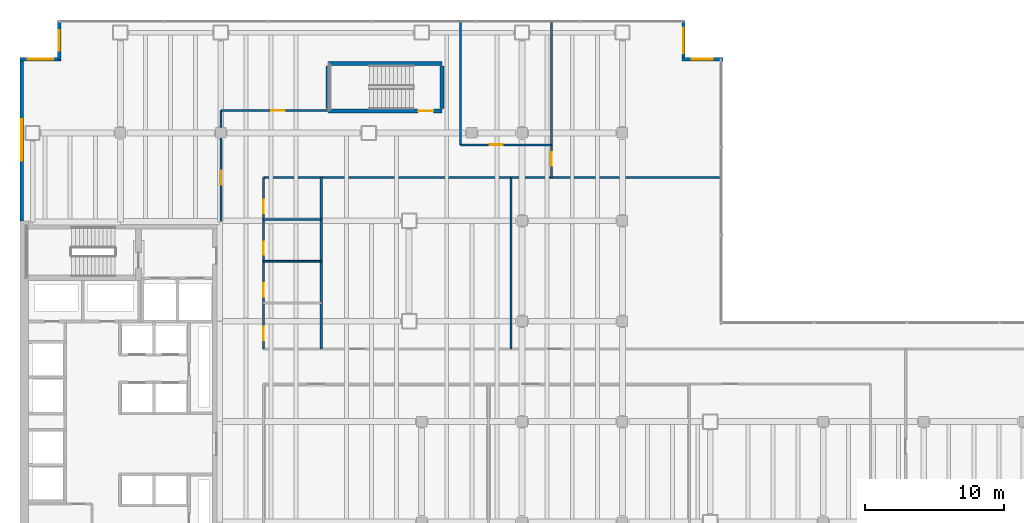
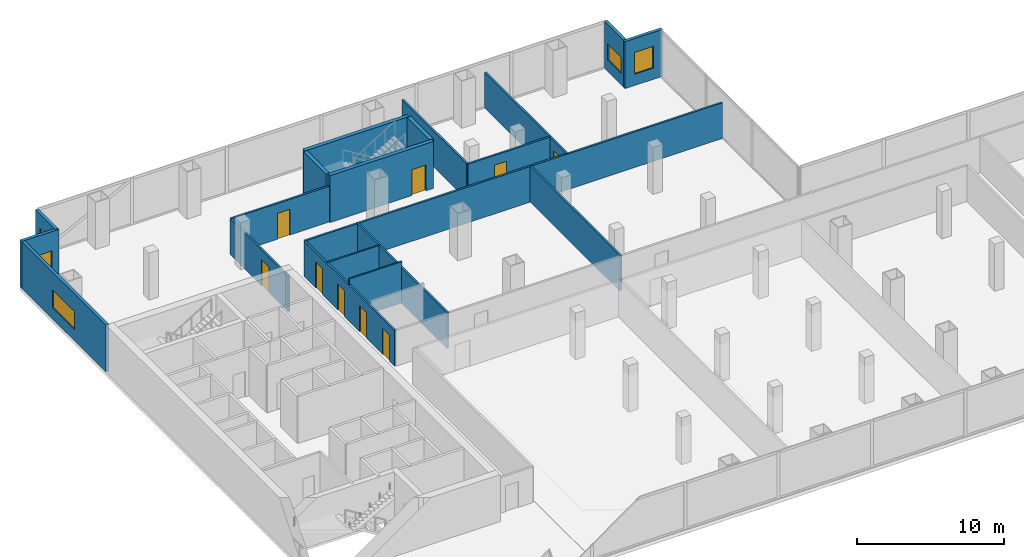
# One storey, part 24 of 28: 20 walls, 9 doors, 5 windows, 14 openings.
"""IFC4 building model written with IfcOpenShell, lengths in metres."""

from ifc_helpers import new_model, si_unit, direction, frame, frame_2d, origin, place, context, subcontext, project, spatial, rectangle, extrude, material, layer, layer_set, type_object, element, fill, save


model = new_model("IFC4")

# Units and contexts
model_context = context("Model", 3, precision=1e-05, world=origin(), true_north=direction((0.0, 1.0)))
body_context = subcontext(model_context, "Body", "Model", "MODEL_VIEW")
ifc_project = project(units=[si_unit("LENGTHUNIT", "METRE"), si_unit("AREAUNIT", "SQUARE_METRE"), si_unit("VOLUMEUNIT", "CUBIC_METRE"), si_unit("PLANEANGLEUNIT", "RADIAN"), si_unit("MASSUNIT", "GRAM", prefix="KILO")], contexts=[model_context])

# Site, building, storey
site_placement = place(None, origin())
site = spatial("IfcSite", under=ifc_project, at=site_placement, CompositionType="ELEMENT")
building_placement = place(site_placement, origin())
building = spatial("IfcBuilding", under=site, at=building_placement, Name="Cobrela Telecom Tower", CompositionType="ELEMENT")
storey_placement = place(building_placement, frame((0.0, 0.0, 17.85009765625)))
storey = spatial("IfcBuildingStorey", under=building, at=storey_placement, Name="L04", CompositionType="ELEMENT", Elevation=17.85009765625)

# Wall, opening, window
ifc_material_1 = material(Name="Concrete C40/50", Category="concrete")
ifc_layer_1 = layer(ifc_material_1, 0.239990234375)
ifc_layer_set_1 = layer_set([ifc_layer_1], Name="Concrete C40/50")
wall_type_1 = type_object("IfcWallType", Name="WALL-EXT-300", PredefinedType="STANDARD", material=ifc_layer_set_1)
wall_1_placement = place(storey_placement, frame((0.1201171875, 36.0, 0.0), z_axis=(0.0, 0.0, 1.0), x_axis=(0.0, 1.0, 0.0)))
wall_1 = element("IfcWall", 1, at=wall_1_placement, inside=storey, type_object=wall_type_1, Name="L04 Insulated Facade Wall 04", PredefinedType="STANDARD", context=body_context, shape_type="SweptSolid", body=[
    extrude(rectangle(XDim=11.580078125, YDim=0.239990234375, at=frame_2d((5.7900390625, 0.0))), origin(), (0.0, 0.0, 1.0), 3.909912109375),
])
opening_1_placement = place(wall_1_placement, frame((4.2900390625, 0.0, 0.949951171875)))
opening_1 = element("IfcOpeningElement", 2, at=opening_1_placement, cuts=wall_1, Name="Opening WN-41", PredefinedType="OPENING", context=body_context, shape_type="SweptSolid", body=[
    extrude(rectangle(XDim=3.0, YDim=1.5, at=frame_2d((1.5, 0.75))), frame((0.0, 0.1318359375, 0.0), z_axis=(0.0, -1.0, 0.0), x_axis=(1.0, 0.0, 0.0)), (0.0, 0.0, 1.0), 0.263916015625),
])
ifc_material_2 = material(Name="Solar-Control Bronze Low-E Glass", Category="glass")
window_type_1 = type_object("IfcWindowType", Name="WIN-RIB-3000", PartitioningType="SINGLE_PANEL", PredefinedType="WINDOW", material=ifc_material_2)
window_1_placement = place(opening_1_placement, origin())
window_1 = element("IfcWindow", 3, at=window_1_placement, inside=storey, type_object=window_type_1, Name="L04 Modular Punched Facade Window 020", OverallHeight=1.5, OverallWidth=3.0, PartitioningType="SINGLE_PANEL", PredefinedType="WINDOW", context=body_context, shape_type="SweptSolid", body=[
    extrude(rectangle(XDim=3.0, YDim=1.5, at=frame_2d((1.5, 0.75))), frame((0.0, 0.030029296875, 0.0), z_axis=(0.0, -1.0, 0.0), x_axis=(1.0, 0.0, 0.0)), (0.0, 0.0, 1.0), 0.06005859375),
])
fill(opening_1, window_1)

wall_2_placement = place(storey_placement, frame((0.0, 47.580078125, 0.0), z_axis=(0.0, 0.0, 1.0), x_axis=(1.0, 0.0, 0.0)))
wall_2 = element("IfcWall", 4, at=wall_2_placement, inside=storey, type_object=wall_type_1, Name="L04 Insulated Facade Wall 05", PredefinedType="STANDARD", context=body_context, shape_type="SweptSolid", body=[
    extrude(rectangle(XDim=2.93994140625, YDim=0.239990234375, at=frame_2d((1.469970703125, 0.0))), origin(), (0.0, 0.0, 1.0), 3.909912109375),
])
opening_2_placement = place(wall_2_placement, frame((0.570068359375, 0.0, 0.949951171875)))
opening_2 = element("IfcOpeningElement", 5, at=opening_2_placement, cuts=wall_2, Name="Opening WN-27", PredefinedType="OPENING", context=body_context, shape_type="SweptSolid", body=[
    extrude(rectangle(XDim=1.800048828125, YDim=1.35009765625, at=frame_2d((0.89990234375, 0.675048828125))), frame((0.0, 0.1318359375, 0.0), z_axis=(0.0, -1.0, 0.0), x_axis=(1.0, 0.0, 0.0)), (0.0, 0.0, 1.0), 0.263916015625),
])
window_type_2 = type_object("IfcWindowType", Name="WIN-CLER-1800", PartitioningType="SINGLE_PANEL", PredefinedType="WINDOW", material=ifc_material_2)
window_2_placement = place(opening_2_placement, origin())
window_2 = element("IfcWindow", 6, at=window_2_placement, inside=storey, type_object=window_type_2, Name="L04 Corner Notch Facade Window 021", OverallHeight=1.35009765625, OverallWidth=1.800048828125, PartitioningType="SINGLE_PANEL", PredefinedType="WINDOW", context=body_context, shape_type="SweptSolid", body=[
    extrude(rectangle(XDim=1.800048828125, YDim=1.35009765625, at=frame_2d((0.89990234375, 0.675048828125))), frame((0.0, 0.030029296875, 0.0), z_axis=(0.0, -1.0, 0.0), x_axis=(1.0, 0.0, 0.0)), (0.0, 0.0, 1.0), 0.06005859375),
])
fill(opening_2, window_2)

wall_3_placement = place(storey_placement, frame((2.820068359375, 47.580078125, 0.0), z_axis=(0.0, 0.0, 1.0), x_axis=(0.0, 1.0, 0.0)))
wall_3 = element("IfcWall", 7, at=wall_3_placement, inside=storey, type_object=wall_type_1, Name="L04 Insulated Facade Wall 06", PredefinedType="STANDARD", context=body_context, shape_type="SweptSolid", body=[
    extrude(rectangle(XDim=2.699951171875, YDim=0.239990234375, at=frame_2d((1.35009765625, 0.0))), origin(), (0.0, 0.0, 1.0), 3.909912109375),
])
opening_3_placement = place(wall_3_placement, frame((0.60009765625, 0.0, 0.949951171875)))
opening_3 = element("IfcOpeningElement", 8, at=opening_3_placement, cuts=wall_3, Name="Opening WN-45", PredefinedType="OPENING", context=body_context, shape_type="SweptSolid", body=[
    extrude(rectangle(XDim=1.5, YDim=1.800048828125, at=frame_2d((0.75, 0.89990234375))), frame((0.0, 0.1318359375, 0.0), z_axis=(0.0, -1.0, 0.0), x_axis=(1.0, 0.0, 0.0)), (0.0, 0.0, 1.0), 0.263916015625),
])
window_type_3 = type_object("IfcWindowType", Name="WIN-MOD-1500", PartitioningType="SINGLE_PANEL", PredefinedType="WINDOW", material=ifc_material_2)
window_3_placement = place(opening_3_placement, origin())
window_3 = element("IfcWindow", 9, at=window_3_placement, inside=storey, type_object=window_type_3, Name="L04 Corner Notch Facade Window 022", OverallHeight=1.800048828125, OverallWidth=1.5, PartitioningType="SINGLE_PANEL", PredefinedType="WINDOW", context=body_context, shape_type="SweptSolid", body=[
    extrude(rectangle(XDim=1.5, YDim=1.800048828125, at=frame_2d((0.75, 0.89990234375))), frame((0.0, 0.030029296875, 0.0), z_axis=(0.0, -1.0, 0.0), x_axis=(1.0, 0.0, 0.0)), (0.0, 0.0, 1.0), 0.06005859375),
])
fill(opening_3, window_3)

wall_4_placement = place(storey_placement, frame((47.580078125, 50.280029296875, 0.0), z_axis=(0.0, 0.0, 1.0), x_axis=(0.0, -1.0, 0.0)))
wall_4 = element("IfcWall", 10, at=wall_4_placement, inside=storey, type_object=wall_type_1, Name="L04 Insulated Facade Wall 08", PredefinedType="STANDARD", context=body_context, shape_type="SweptSolid", body=[
    extrude(rectangle(XDim=2.699951171875, YDim=0.239990234375, at=frame_2d((1.35009765625, 0.0))), origin(), (0.0, 0.0, 1.0), 3.909912109375),
])
opening_4_placement = place(wall_4_placement, frame((0.449951171875, 0.0, 0.949951171875)))
opening_4 = element("IfcOpeningElement", 11, at=opening_4_placement, cuts=wall_4, Name="Opening WN-27", PredefinedType="OPENING", context=body_context, shape_type="SweptSolid", body=[
    extrude(rectangle(XDim=1.800048828125, YDim=1.35009765625, at=frame_2d((0.89990234375, 0.675048828125))), frame((0.0, 0.1318359375, 0.0), z_axis=(0.0, -1.0, 0.0), x_axis=(1.0, 0.0, 0.0)), (0.0, 0.0, 1.0), 0.263916015625),
])
window_4_placement = place(opening_4_placement, origin())
window_4 = element("IfcWindow", 12, at=window_4_placement, inside=storey, type_object=window_type_2, Name="L04 Corner Notch Facade Window 023", OverallHeight=1.35009765625, OverallWidth=1.800048828125, PartitioningType="SINGLE_PANEL", PredefinedType="WINDOW", context=body_context, shape_type="SweptSolid", body=[
    extrude(rectangle(XDim=1.800048828125, YDim=1.35009765625, at=frame_2d((0.89990234375, 0.675048828125))), frame((0.0, 0.030029296875, 0.0), z_axis=(0.0, -1.0, 0.0), x_axis=(1.0, 0.0, 0.0)), (0.0, 0.0, 1.0), 0.06005859375),
])
fill(opening_4, window_4)

wall_5_placement = place(storey_placement, frame((47.4599609375, 47.580078125, 0.0), z_axis=(0.0, 0.0, 1.0), x_axis=(1.0, 0.0, 0.0)))
wall_5 = element("IfcWall", 13, at=wall_5_placement, inside=storey, type_object=wall_type_1, Name="L04 Insulated Facade Wall 09", PredefinedType="STANDARD", context=body_context, shape_type="SweptSolid", body=[
    extrude(rectangle(XDim=2.93994140625, YDim=0.239990234375, at=frame_2d((1.469970703125, 0.0))), origin(), (0.0, 0.0, 1.0), 3.909912109375),
])
opening_5_placement = place(wall_5_placement, frame((0.719970703125, 0.0, 0.949951171875)))
opening_5 = element("IfcOpeningElement", 14, at=opening_5_placement, cuts=wall_5, Name="Opening WN-45", PredefinedType="OPENING", context=body_context, shape_type="SweptSolid", body=[
    extrude(rectangle(XDim=1.5, YDim=1.800048828125, at=frame_2d((0.75, 0.89990234375))), frame((0.0, 0.1318359375, 0.0), z_axis=(0.0, -1.0, 0.0), x_axis=(1.0, 0.0, 0.0)), (0.0, 0.0, 1.0), 0.263916015625),
])
window_5_placement = place(opening_5_placement, origin())
window_5 = element("IfcWindow", 15, at=window_5_placement, inside=storey, type_object=window_type_3, Name="L04 Corner Notch Facade Window 024", OverallHeight=1.800048828125, OverallWidth=1.5, PartitioningType="SINGLE_PANEL", PredefinedType="WINDOW", context=body_context, shape_type="SweptSolid", body=[
    extrude(rectangle(XDim=1.5, YDim=1.800048828125, at=frame_2d((0.75, 0.89990234375))), frame((0.0, 0.030029296875, 0.0), z_axis=(0.0, -1.0, 0.0), x_axis=(1.0, 0.0, 0.0)), (0.0, 0.0, 1.0), 0.06005859375),
])
fill(opening_5, window_5)

# Walls
ifc_material_3 = material(Name="Fire-Rated Gypsum Plasterboard")
ifc_layer_2 = layer(ifc_material_3, 0.125)
ifc_layer_set_2 = layer_set([ifc_layer_2], Name="Fire-Rated Gypsum Plasterboard")
wall_type_2 = type_object("IfcWallType", Name="WALL-PART-125", PredefinedType="PARTITIONING", material=ifc_layer_set_2)
wall_6_placement = place(storey_placement, frame((17.449951171875, 36.10009765625, 0.0), z_axis=(0.0, 0.0, 1.0), x_axis=(1.0, 0.0, 0.0)))
element("IfcWall", 16, at=wall_6_placement, inside=storey, type_object=wall_type_2, Name="L04 Interior Partition W-P4WC-1", PredefinedType="PARTITIONING", context=body_context, shape_type="SweptSolid", body=[
    extrude(rectangle(XDim=4.150146484375, YDim=0.125, at=frame_2d((2.0751953125, 0.0))), origin(), (0.0, 0.0, 1.0), 2.968017578125),
])
wall_7_placement = place(storey_placement, frame((17.449951171875, 33.10009765625, 0.0), z_axis=(0.0, 0.0, 1.0), x_axis=(1.0, 0.0, 0.0)))
element("IfcWall", 17, at=wall_7_placement, inside=storey, type_object=wall_type_2, Name="L04 Interior Partition W-P4WC-2", PredefinedType="PARTITIONING", context=body_context, shape_type="SweptSolid", body=[
    extrude(rectangle(XDim=4.150146484375, YDim=0.125, at=frame_2d((2.0751953125, 0.0))), origin(), (0.0, 0.0, 1.0), 3.427978515625),
])

# Wall, openings, doors
ifc_layer_3 = layer(ifc_material_3, 0.14990234375)
ifc_layer_set_3 = layer_set([ifc_layer_3], Name="Fire-Rated Gypsum Plasterboard")
wall_type_3 = type_object("IfcWallType", Name="WALL-PART-150", PredefinedType="PARTITIONING", material=ifc_layer_set_3)
wall_8_placement = place(storey_placement, frame((17.449951171875, 26.800048828125, 0.0), z_axis=(0.0, 0.0, 1.0), x_axis=(0.0, 1.0, 0.0)))
wall_8 = element("IfcWall", 18, at=wall_8_placement, inside=storey, type_object=wall_type_3, Name="L04 Interior Partition W-P4-E2", PredefinedType="PARTITIONING", context=body_context, shape_type="SweptSolid", body=[
    extrude(rectangle(XDim=12.300048828125, YDim=0.14990234375, at=frame_2d((6.14990234375, 0.0))), origin(), (0.0, 0.0, 1.0), 2.968017578125),
])
opening_6_placement = place(wall_8_placement, frame((9.760009765625, 0.0, 0.0)))
opening_6 = element("IfcOpeningElement", 19, at=opening_6_placement, cuts=wall_8, Name="Opening DR-67", PredefinedType="OPENING", context=body_context, shape_type="SweptSolid", body=[
    extrude(rectangle(XDim=0.949951171875, YDim=2.14990234375, at=frame_2d((0.47509765625, 1.074951171875))), frame((0.0, 0.0869140625, 0.0), z_axis=(0.0, -1.0, 0.0), x_axis=(1.0, 0.0, 0.0)), (0.0, 0.0, 1.0), 0.173828125),
])
opening_7_placement = place(wall_8_placement, frame((6.760009765625, 0.0, 0.0)))
opening_7 = element("IfcOpeningElement", 20, at=opening_7_placement, cuts=wall_8, Name="Opening DR-67", PredefinedType="OPENING", context=body_context, shape_type="SweptSolid", body=[
    extrude(rectangle(XDim=0.949951171875, YDim=2.14990234375, at=frame_2d((0.47509765625, 1.074951171875))), frame((0.0, 0.0869140625, 0.0), z_axis=(0.0, -1.0, 0.0), x_axis=(1.0, 0.0, 0.0)), (0.0, 0.0, 1.0), 0.173828125),
])
opening_8_placement = place(wall_8_placement, frame((3.760009765625, 0.0, 0.0)))
opening_8 = element("IfcOpeningElement", 21, at=opening_8_placement, cuts=wall_8, Name="Opening DR-67", PredefinedType="OPENING", context=body_context, shape_type="SweptSolid", body=[
    extrude(rectangle(XDim=0.949951171875, YDim=2.14990234375, at=frame_2d((0.47509765625, 1.074951171875))), frame((0.0, 0.0869140625, 0.0), z_axis=(0.0, -1.0, 0.0), x_axis=(1.0, 0.0, 0.0)), (0.0, 0.0, 1.0), 0.173828125),
])
opening_9_placement = place(wall_8_placement, frame((0.64990234375, 0.0, 0.0)))
opening_9 = element("IfcOpeningElement", 22, at=opening_9_placement, cuts=wall_8, Name="Opening DR-67", PredefinedType="OPENING", context=body_context, shape_type="SweptSolid", body=[
    extrude(rectangle(XDim=0.949951171875, YDim=2.14990234375, at=frame_2d((0.47509765625, 1.074951171875))), frame((0.0, 0.0869140625, 0.0), z_axis=(0.0, -1.0, 0.0), x_axis=(1.0, 0.0, 0.0)), (0.0, 0.0, 1.0), 0.173828125),
])
ifc_material_4 = material(Name="Solid Engineered Oak Timber", Category="wood")
door_type_1 = type_object("IfcDoorType", Name="DOOR-INT-950", OperationType="SINGLE_SWING_LEFT", PredefinedType="DOOR", material=ifc_material_4)
door_1_placement = place(opening_6_placement, origin())
door_1 = element("IfcDoor", 23, at=door_1_placement, inside=storey, type_object=door_type_1, Name="L04 Door DR-67", OperationType="SINGLE_SWING_LEFT", OverallHeight=2.14990234375, OverallWidth=0.949951171875, PredefinedType="DOOR", context=body_context, shape_type="SweptSolid", body=[
    extrude(rectangle(XDim=0.949951171875, YDim=2.14990234375, at=frame_2d((0.47509765625, 1.074951171875))), frame((0.0, 0.02490234375, 0.0), z_axis=(0.0, -1.0, 0.0), x_axis=(1.0, 0.0, 0.0)), (0.0, 0.0, 1.0), 0.050048828125),
])
fill(opening_6, door_1)
door_2_placement = place(opening_7_placement, origin())
door_2 = element("IfcDoor", 24, at=door_2_placement, inside=storey, type_object=door_type_1, Name="L04 Door DR-67", OperationType="SINGLE_SWING_RIGHT", OverallHeight=2.14990234375, OverallWidth=0.949951171875, PredefinedType="DOOR", context=body_context, shape_type="SweptSolid", body=[
    extrude(rectangle(XDim=0.949951171875, YDim=2.14990234375, at=frame_2d((0.47509765625, 1.074951171875))), frame((0.0, 0.02490234375, 0.0), z_axis=(0.0, -1.0, 0.0), x_axis=(1.0, 0.0, 0.0)), (0.0, 0.0, 1.0), 0.050048828125),
])
fill(opening_7, door_2)
door_3_placement = place(opening_8_placement, origin())
door_3 = element("IfcDoor", 25, at=door_3_placement, inside=storey, type_object=door_type_1, Name="L04 Door DR-67", OperationType="SINGLE_SWING_LEFT", OverallHeight=2.14990234375, OverallWidth=0.949951171875, PredefinedType="DOOR", context=body_context, shape_type="SweptSolid", body=[
    extrude(rectangle(XDim=0.949951171875, YDim=2.14990234375, at=frame_2d((0.47509765625, 1.074951171875))), frame((0.0, 0.02490234375, 0.0), z_axis=(0.0, -1.0, 0.0), x_axis=(1.0, 0.0, 0.0)), (0.0, 0.0, 1.0), 0.050048828125),
])
fill(opening_8, door_3)
door_4_placement = place(opening_9_placement, origin())
door_4 = element("IfcDoor", 26, at=door_4_placement, inside=storey, type_object=door_type_1, Name="L04 Door DR-67", OperationType="SINGLE_SWING_RIGHT", OverallHeight=2.14990234375, OverallWidth=0.949951171875, PredefinedType="DOOR", context=body_context, shape_type="SweptSolid", body=[
    extrude(rectangle(XDim=0.949951171875, YDim=2.14990234375, at=frame_2d((0.47509765625, 1.074951171875))), frame((0.0, 0.02490234375, 0.0), z_axis=(0.0, -1.0, 0.0), x_axis=(1.0, 0.0, 0.0)), (0.0, 0.0, 1.0), 0.050048828125),
])
fill(opening_9, door_4)

# Wall, opening, door
wall_9_placement = place(storey_placement, frame((14.39990234375, 43.89990234375, 0.0), z_axis=(0.0, 0.0, 1.0), x_axis=(1.0, 0.0, 0.0)))
wall_9 = element("IfcWall", 27, at=wall_9_placement, inside=storey, type_object=wall_type_3, Name="L04 Interior Partition W-P4-N1", PredefinedType="PARTITIONING", context=body_context, shape_type="SweptSolid", body=[
    extrude(rectangle(XDim=7.7001953125, YDim=0.14990234375, at=frame_2d((3.85009765625, 0.0))), origin(), (0.0, 0.0, 1.0), 2.968017578125),
])
opening_10_placement = place(wall_9_placement, frame((3.60009765625, 0.0, 0.0)))
opening_10 = element("IfcOpeningElement", 28, at=opening_10_placement, cuts=wall_9, Name="Opening DR-31", PredefinedType="OPENING", context=body_context, shape_type="SweptSolid", body=[
    extrude(rectangle(XDim=1.0, YDim=2.14990234375, at=frame_2d((0.5, 1.074951171875))), frame((0.0, 0.0869140625, 0.0), z_axis=(0.0, -1.0, 0.0), x_axis=(1.0, 0.0, 0.0)), (0.0, 0.0, 1.0), 0.173828125),
])
door_type_2 = type_object("IfcDoorType", Name="DOOR-INT-1000", OperationType="SINGLE_SWING_LEFT", PredefinedType="DOOR", material=ifc_material_4)
door_5_placement = place(opening_10_placement, origin())
door_5 = element("IfcDoor", 29, at=door_5_placement, inside=storey, type_object=door_type_2, Name="L04 Door DR-31", OperationType="SINGLE_SWING_LEFT", OverallHeight=2.14990234375, OverallWidth=1.0, PredefinedType="DOOR", context=body_context, shape_type="SweptSolid", body=[
    extrude(rectangle(XDim=1.0, YDim=2.14990234375, at=frame_2d((0.5, 1.074951171875))), frame((0.0, 0.02490234375, 0.0), z_axis=(0.0, -1.0, 0.0), x_axis=(1.0, 0.0, 0.0)), (0.0, 0.0, 1.0), 0.050048828125),
])
fill(opening_10, door_5)

wall_10_placement = place(storey_placement, frame((31.60009765625, 41.449951171875, 0.0), z_axis=(0.0, 0.0, 1.0), x_axis=(1.0, 0.0, 0.0)))
wall_10 = element("IfcWall", 30, at=wall_10_placement, inside=storey, type_object=wall_type_3, Name="L04 Interior Partition W-P4-N2C", PredefinedType="PARTITIONING", context=body_context, shape_type="SweptSolid", body=[
    extrude(rectangle(XDim=6.5, YDim=0.14990234375, at=frame_2d((3.25, 0.0))), origin(), (0.0, 0.0, 1.0), 2.968017578125),
])
opening_11_placement = place(wall_10_placement, frame((2.080078125, 0.0, 0.0)))
opening_11 = element("IfcOpeningElement", 31, at=opening_11_placement, cuts=wall_10, Name="Opening DR-67", PredefinedType="OPENING", context=body_context, shape_type="SweptSolid", body=[
    extrude(rectangle(XDim=0.949951171875, YDim=2.14990234375, at=frame_2d((0.47509765625, 1.074951171875))), frame((0.0, 0.0869140625, 0.0), z_axis=(0.0, -1.0, 0.0), x_axis=(1.0, 0.0, 0.0)), (0.0, 0.0, 1.0), 0.173828125),
])
door_6_placement = place(opening_11_placement, origin())
door_6 = element("IfcDoor", 32, at=door_6_placement, inside=storey, type_object=door_type_1, Name="L04 Door DR-67", OperationType="SINGLE_SWING_RIGHT", OverallHeight=2.14990234375, OverallWidth=0.949951171875, PredefinedType="DOOR", context=body_context, shape_type="SweptSolid", body=[
    extrude(rectangle(XDim=0.949951171875, YDim=2.14990234375, at=frame_2d((0.47509765625, 1.074951171875))), frame((0.0, 0.02490234375, 0.0), z_axis=(0.0, -1.0, 0.0), x_axis=(1.0, 0.0, 0.0)), (0.0, 0.0, 1.0), 0.050048828125),
])
fill(opening_11, door_6)

# Walls
wall_11_placement = place(storey_placement, frame((17.449951171875, 39.10009765625, 0.0), z_axis=(0.0, 0.0, 1.0), x_axis=(1.0, 0.0, 0.0)))
element("IfcWall", 33, at=wall_11_placement, inside=storey, type_object=wall_type_3, Name="L04 Interior Partition W-P4-N2B", PredefinedType="PARTITIONING", context=body_context, shape_type="SweptSolid", body=[
    extrude(rectangle(XDim=32.830078125, YDim=0.14990234375, at=frame_2d((16.4150390625, 0.0))), origin(), (0.0, 0.0, 1.0), 2.968017578125),
])
wall_12_placement = place(storey_placement, frame((31.60009765625, 41.449951171875, 0.0), z_axis=(0.0, 0.0, 1.0), x_axis=(0.0, 1.0, 0.0)))
element("IfcWall", 34, at=wall_12_placement, inside=storey, type_object=wall_type_3, Name="L04 Interior Partition W-P4-N3M", PredefinedType="PARTITIONING", context=body_context, shape_type="SweptSolid", body=[
    extrude(rectangle(XDim=8.830078125, YDim=0.14990234375, at=frame_2d((4.4150390625, 0.0))), origin(), (0.0, 0.0, 1.0), 2.968017578125),
])

# Wall, opening, door
wall_13_placement = place(storey_placement, frame((38.10009765625, 39.10009765625, 0.0), z_axis=(0.0, 0.0, 1.0), x_axis=(0.0, 1.0, 0.0)))
wall_13 = element("IfcWall", 35, at=wall_13_placement, inside=storey, type_object=wall_type_3, Name="L04 Interior Partition W-P4-N3E", PredefinedType="PARTITIONING", context=body_context, shape_type="SweptSolid", body=[
    extrude(rectangle(XDim=11.179931640625, YDim=0.14990234375, at=frame_2d((5.58984375, 0.0))), origin(), (0.0, 0.0, 1.0), 2.968017578125),
])
opening_12_placement = place(wall_13_placement, frame((0.85009765625, 0.0, 0.0)))
opening_12 = element("IfcOpeningElement", 36, at=opening_12_placement, cuts=wall_13, Name="Opening DR-67", PredefinedType="OPENING", context=body_context, shape_type="SweptSolid", body=[
    extrude(rectangle(XDim=0.949951171875, YDim=2.14990234375, at=frame_2d((0.47509765625, 1.074951171875))), frame((0.0, 0.0869140625, 0.0), z_axis=(0.0, -1.0, 0.0), x_axis=(1.0, 0.0, 0.0)), (0.0, 0.0, 1.0), 0.173828125),
])
door_7_placement = place(opening_12_placement, origin())
door_7 = element("IfcDoor", 37, at=door_7_placement, inside=storey, type_object=door_type_1, Name="L04 Door DR-67", OperationType="SINGLE_SWING_LEFT", OverallHeight=2.14990234375, OverallWidth=0.949951171875, PredefinedType="DOOR", context=body_context, shape_type="SweptSolid", body=[
    extrude(rectangle(XDim=0.949951171875, YDim=2.14990234375, at=frame_2d((0.47509765625, 1.074951171875))), frame((0.0, 0.02490234375, 0.0), z_axis=(0.0, -1.0, 0.0), x_axis=(1.0, 0.0, 0.0)), (0.0, 0.0, 1.0), 0.050048828125),
])
fill(opening_12, door_7)

# Walls
for number, where, z_axis, x_axis, name in (
    (38, (21.60009765625, 26.800048828125, 0.0), (0.0, 0.0, 1.0), (0.0, 1.0, 0.0), "L04 Interior Partition W-P4WC-E"),
    (39, (35.199951171875, 26.800048828125, 0.0), (0.0, 0.0, 1.0), (0.0, 1.0, 0.0), "L04 Interior Partition W-P4-NV1"),
):
    element("IfcWall", number, at=place(storey_placement, frame(where, z_axis=z_axis, x_axis=x_axis)), inside=storey, type_object=wall_type_3, Name=name, PredefinedType="PARTITIONING", context=body_context, shape_type="SweptSolid", body=[
        extrude(rectangle(XDim=12.300048828125, YDim=0.14990234375, at=frame_2d((6.14990234375, 0.0))), origin(), (0.0, 0.0, 1.0), 2.968017578125),
    ])

# Wall, opening, door
wall_14_placement = place(storey_placement, frame((14.39990234375, 36.0, 0.0), z_axis=(0.0, 0.0, 1.0), x_axis=(0.0, 1.0, 0.0)))
wall_14 = element("IfcWall", 40, at=wall_14_placement, inside=storey, type_object=wall_type_3, Name="L04 Interior Partition W-P4-NWE", PredefinedType="PARTITIONING", context=body_context, shape_type="SweptSolid", body=[
    extrude(rectangle(XDim=7.89990234375, YDim=0.14990234375, at=frame_2d((3.949951171875, 0.0))), origin(), (0.0, 0.0, 1.0), 2.968017578125),
])
opening_13_placement = place(wall_14_placement, frame((2.60009765625, 0.0, 0.0)))
opening_13 = element("IfcOpeningElement", 41, at=opening_13_placement, cuts=wall_14, Name="Opening DR-31", PredefinedType="OPENING", context=body_context, shape_type="SweptSolid", body=[
    extrude(rectangle(XDim=1.0, YDim=2.14990234375, at=frame_2d((0.5, 1.074951171875))), frame((0.0, 0.0869140625, 0.0), z_axis=(0.0, -1.0, 0.0), x_axis=(1.0, 0.0, 0.0)), (0.0, 0.0, 1.0), 0.173828125),
])
door_8_placement = place(opening_13_placement, origin())
door_8 = element("IfcDoor", 42, at=door_8_placement, inside=storey, type_object=door_type_2, Name="L04 Door DR-31", OperationType="SINGLE_SWING_RIGHT", OverallHeight=2.14990234375, OverallWidth=1.0, PredefinedType="DOOR", context=body_context, shape_type="SweptSolid", body=[
    extrude(rectangle(XDim=1.0, YDim=2.14990234375, at=frame_2d((0.5, 1.074951171875))), frame((0.0, 0.02490234375, 0.0), z_axis=(0.0, -1.0, 0.0), x_axis=(1.0, 0.0, 0.0)), (0.0, 0.0, 1.0), 0.050048828125),
])
fill(opening_13, door_8)

ifc_layer_4 = layer(ifc_material_1, 0.39990234375)
ifc_layer_set_4 = layer_set([ifc_layer_4], Name="Concrete C40/50")
wall_type_4 = type_object("IfcWallType", Name="WALL-SHAFT-C40-400", PredefinedType="SHEAR", material=ifc_layer_set_4)
wall_15_placement = place(storey_placement, frame((22.10009765625, 43.8798828125, 0.0), z_axis=(0.0, 0.0, 1.0), x_axis=(1.0, 0.0, 0.0)))
wall_15 = element("IfcWall", 43, at=wall_15_placement, inside=storey, type_object=wall_type_4, Name="L04 Podium Stair ST3 South Shear Wall", PredefinedType="SHEAR", context=body_context, shape_type="SweptSolid", body=[
    extrude(rectangle(XDim=8.14990234375, YDim=0.300048828125, at=frame_2d((4.074951171875, 0.0))), origin(), (0.0, 0.0, 1.0), 3.909912109375),
])
opening_14_placement = place(wall_15_placement, frame((6.449951171875, 0.0, 0.0)))
opening_14 = element("IfcOpeningElement", 44, at=opening_14_placement, cuts=wall_15, Name="Opening FD-90", PredefinedType="OPENING", context=body_context, shape_type="SweptSolid", body=[
    extrude(rectangle(XDim=1.10009765625, YDim=2.14990234375, at=frame_2d((0.550048828125, 1.074951171875))), frame((0.0, 0.162109375, 0.0), z_axis=(0.0, -1.0, 0.0), x_axis=(1.0, 0.0, 0.0)), (0.0, 0.0, 1.0), 0.323974609375),
])
ifc_material_5 = material(Name="Steel ASTM A36", Category="steel")
door_type_3 = type_object("IfcDoorType", Name="DOOR-FD90-1100", OperationType="SINGLE_SWING_LEFT", PredefinedType="DOOR", material=ifc_material_5)
door_9_placement = place(opening_14_placement, origin())
door_9 = element("IfcDoor", 45, at=door_9_placement, inside=storey, type_object=door_type_3, Name="L04 Door FD-90", OperationType="SINGLE_SWING_LEFT", OverallHeight=2.14990234375, OverallWidth=1.10009765625, PredefinedType="DOOR", context=body_context, shape_type="SweptSolid", body=[
    extrude(rectangle(XDim=1.10009765625, YDim=2.14990234375, at=frame_2d((0.550048828125, 1.074951171875))), frame((0.0, 0.02490234375, 0.0), z_axis=(0.0, -1.0, 0.0), x_axis=(1.0, 0.0, 0.0)), (0.0, 0.0, 1.0), 0.050048828125),
])
fill(opening_14, door_9)

# Walls
wall_16_placement = place(storey_placement, frame((22.10009765625, 47.27001953125, 0.0), z_axis=(0.0, 0.0, 1.0), x_axis=(1.0, 0.0, 0.0)))
element("IfcWall", 46, at=wall_16_placement, inside=storey, type_object=wall_type_4, Name="L04 Podium Stair ST3 North Shear Wall", PredefinedType="SHEAR", context=body_context, shape_type="SweptSolid", body=[
    extrude(rectangle(XDim=8.14990234375, YDim=0.300048828125, at=frame_2d((4.074951171875, 0.0))), origin(), (0.0, 0.0, 1.0), 3.909912109375),
])
for number, where, z_axis, x_axis, name in (
    (47, (22.10009765625, 44.050048828125, 0.0), (0.0, 0.0, 1.0), (0.0, 1.0, 0.0), "L04 Podium Stair ST3 West Shear Wall"),
    (48, (30.25, 44.050048828125, 0.0), (0.0, 0.0, 1.0), (0.0, 1.0, 0.0), "L04 Podium Stair ST3 East Shear Wall"),
):
    element("IfcWall", number, at=place(storey_placement, frame(where, z_axis=z_axis, x_axis=x_axis)), inside=storey, type_object=wall_type_4, Name=name, PredefinedType="SHEAR", context=body_context, shape_type="SweptSolid", body=[
        extrude(rectangle(XDim=3.050048828125, YDim=0.300048828125, at=frame_2d((1.52490234375, 0.0))), origin(), (0.0, 0.0, 1.0), 3.909912109375),
    ])

save(model, "model.ifc")
